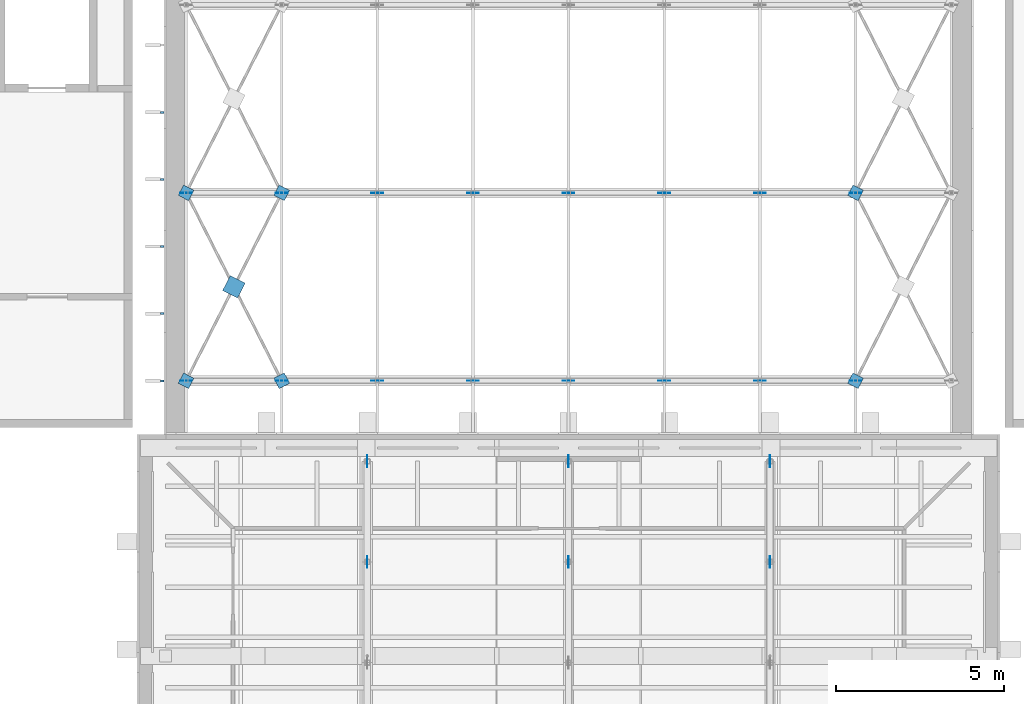
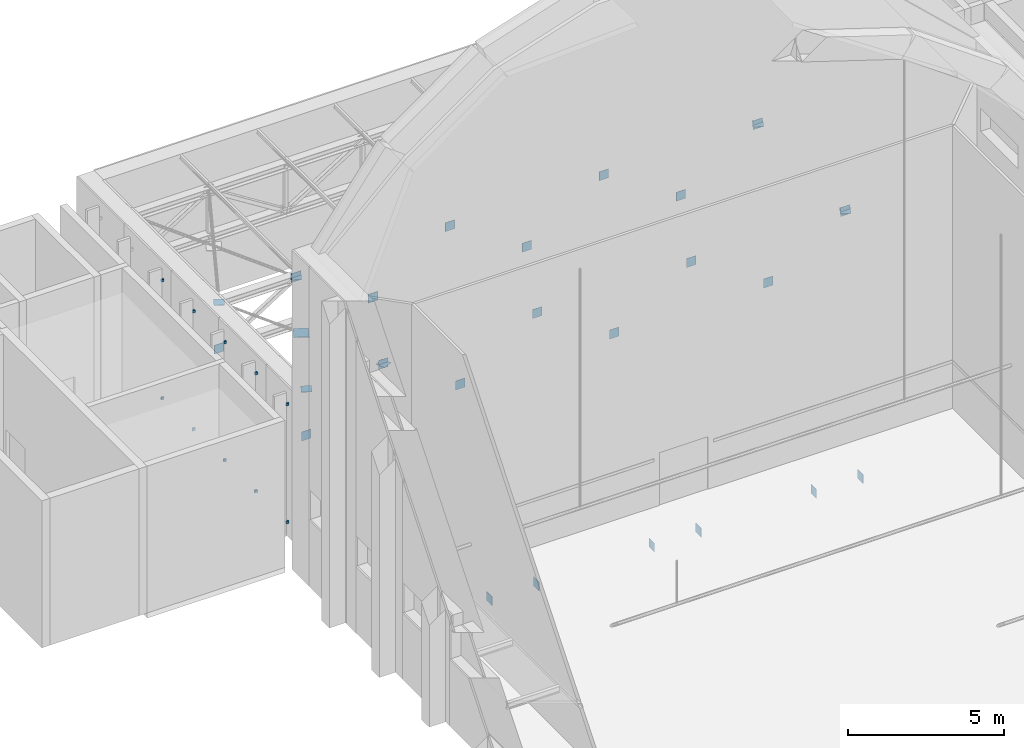
# One storey, part 49 of 55: 39 discrete accessories.
"""IFC4 building model written with IfcOpenShell, lengths in metres."""

from ifc_helpers import new_model, si_unit, direction, frame, origin, origin_2d, place, context, subcontext, project, spatial, rectangle, extrude, material, layer, layer_set, type_object, element, save


model = new_model("IFC4")

# Units and contexts
model_context = context("Model", 3, precision=1e-05, world=origin(), true_north=direction((0.0, 1.0)))
body_context = subcontext(model_context, "Body", "Model", "MODEL_VIEW")
ifc_project = project(units=[si_unit("LENGTHUNIT", "METRE"), si_unit("AREAUNIT", "SQUARE_METRE"), si_unit("VOLUMEUNIT", "CUBIC_METRE"), si_unit("PLANEANGLEUNIT", "RADIAN"), si_unit("MASSUNIT", "GRAM", prefix="KILO")], contexts=[model_context])

# Site, building, storey
site_placement = place(None, origin())
site = spatial("IfcSite", under=ifc_project, at=site_placement, CompositionType="ELEMENT")
building_placement = place(site_placement, origin())
building = spatial("IfcBuilding", under=site, at=building_placement, Name="Lunette Opera House", CompositionType="ELEMENT")
storey_placement = place(building_placement, frame((0.0, 0.0, 34.0)))
storey = spatial("IfcBuildingStorey", under=building, at=storey_placement, Name="L06", CompositionType="ELEMENT", Elevation=34.0)

# Discrete accessories
ifc_material_1 = material(Name="Steel S355", Category="steel")
ifc_layer_1 = layer(ifc_material_1, 0.011962890625)
ifc_layer_set_1 = layer_set([ifc_layer_1], Name="Steel S355")
discrete_accessory_type_1 = type_object("IfcDiscreteAccessoryType", Name="BRACE GUSSET PLATE 12", PredefinedType="USERDEFINED", material=ifc_layer_set_1)
for number, where, z_axis, x_axis, name in (
    (1, (90.0, 117.0, -0.840087890625), (0.0, 0.0, 1.0), (0.0, 1.0, 0.0), "Gusset plate 20"),
    (2, (90.0, 120.0, -3.239990234375), (0.0, 0.0, 1.0), (0.0, 1.0, 0.0), "Gusset plate 21"),
    (3, (96.0, 117.0, -0.840087890625), (0.0, 0.0, 1.0), (0.0, 1.0, 0.0), "Gusset plate 29"),
    (4, (96.0, 120.0, -3.239990234375), (0.0, 0.0, 1.0), (0.0, 1.0, 0.0), "Gusset plate 30"),
    (5, (102.0, 117.0, -0.840087890625), (0.0, 0.0, 1.0), (0.0, 1.0, 0.0), "Gusset plate 38"),
    (6, (102.0, 120.0, -3.239990234375), (0.0, 0.0, 1.0), (0.0, 1.0, 0.0), "Gusset plate 39"),
    (7, (84.60009765625, 122.39990234375, 3.599853515625), (0.0, 0.0, 1.0), (1.0, 0.0, 0.0), "Gusset plate 152"),
    (8, (87.449951171875, 122.39990234375, 5.39990234375), (0.0, 0.0, 1.0), (1.0, 0.0, 0.0), "Gusset plate 153"),
    (9, (90.300048828125, 122.39990234375, 3.599853515625), (0.0, 0.0, 1.0), (1.0, 0.0, 0.0), "Gusset plate 154"),
    (10, (93.14990234375, 122.39990234375, 5.39990234375), (0.0, 0.0, 1.0), (1.0, 0.0, 0.0), "Gusset plate 155"),
    (11, (96.0, 122.39990234375, 3.599853515625), (0.0, 0.0, 1.0), (1.0, 0.0, 0.0), "Gusset plate 156"),
    (12, (98.85009765625, 122.39990234375, 5.39990234375), (0.0, 0.0, 1.0), (1.0, 0.0, 0.0), "Gusset plate 157"),
    (13, (101.699951171875, 122.39990234375, 3.599853515625), (0.0, 0.0, 1.0), (1.0, 0.0, 0.0), "Gusset plate 158"),
    (14, (104.550048828125, 122.39990234375, 5.39990234375), (0.0, 0.0, 1.0), (1.0, 0.0, 0.0), "Gusset plate 159"),
    (15, (84.60009765625, 128.0, 3.599853515625), (0.0, 0.0, 1.0), (1.0, 0.0, 0.0), "Gusset plate 161"),
    (16, (87.449951171875, 128.0, 5.39990234375), (0.0, 0.0, 1.0), (1.0, 0.0, 0.0), "Gusset plate 162"),
    (17, (90.300048828125, 128.0, 3.599853515625), (0.0, 0.0, 1.0), (1.0, 0.0, 0.0), "Gusset plate 163"),
    (18, (93.14990234375, 128.0, 5.39990234375), (0.0, 0.0, 1.0), (1.0, 0.0, 0.0), "Gusset plate 164"),
    (19, (96.0, 128.0, 3.599853515625), (0.0, 0.0, 1.0), (1.0, 0.0, 0.0), "Gusset plate 165"),
    (20, (98.85009765625, 128.0, 5.39990234375), (0.0, 0.0, 1.0), (1.0, 0.0, 0.0), "Gusset plate 166"),
    (21, (101.699951171875, 128.0, 3.599853515625), (0.0, 0.0, 1.0), (1.0, 0.0, 0.0), "Gusset plate 167"),
    (22, (104.550048828125, 128.0, 5.39990234375), (0.0, 0.0, 1.0), (1.0, 0.0, 0.0), "Gusset plate 168"),
):
    element("IfcDiscreteAccessory", number, at=place(storey_placement, frame(where, z_axis=z_axis, x_axis=x_axis)), inside=storey, type_object=discrete_accessory_type_1, Name=name, ObjectType="GUSSET PLATE", PredefinedType="USERDEFINED", context=body_context, shape_type="SweptSolid", body=[
        extrude(rectangle(XDim=0.35009765625, YDim=0.011962890625, at=origin_2d()), origin(), (0.0, 0.0, 1.0), 0.35009765625),
    ])
for number, where, z_axis, x_axis, name in (
    (23, (84.60009765625, 122.39990234375, 5.56884765625), (0.0, 0.0, 1.0), (0.453567461466, 0.891221946487, 0.0), "Gusset plate 179"),
    (24, (87.449951171875, 128.0, 5.56884765625), (0.0, 0.0, 1.0), (0.453567461466, 0.891221946487, 0.0), "Gusset plate 180"),
    (25, (104.550048828125, 122.39990234375, 5.56884765625), (0.0, 0.0, 1.0), (0.453567461466, 0.891221946487, 0.0), "Gusset plate 181"),
    (26, (84.60009765625, 128.0, 5.56884765625), (0.0, 0.0, 1.0), (0.453567461466, 0.891221946487, 0.0), "Gusset plate 183"),
    (27, (104.550048828125, 128.0, 5.56884765625), (0.0, 0.0, 1.0), (0.453567461466, 0.891221946487, 0.0), "Gusset plate 185"),
    (28, (87.449951171875, 122.39990234375, 5.56884765625), (0.0, 0.0, 1.0), (-0.453567461466, 0.891221946487, 0.0), "Gusset plate 346"),
):
    element("IfcDiscreteAccessory", number, at=place(storey_placement, frame(where, z_axis=z_axis, x_axis=x_axis)), inside=storey, type_object=discrete_accessory_type_1, Name=name, ObjectType="GUSSET PLATE", PredefinedType="USERDEFINED", context=body_context, shape_type="SweptSolid", body=[
        extrude(rectangle(XDim=0.35009765625, YDim=0.35009765625, at=origin_2d()), origin(), (0.0, 0.0, 1.0), 0.011962890625),
    ])
ifc_material_2 = material(Name="Galvanised steel", Category="steel")
discrete_accessory_type_2 = type_object("IfcDiscreteAccessoryType", Name="FIN BRACKET STEEL", PredefinedType="BRACKET", material=ifc_material_2)
for number, where, z_axis, x_axis, name in (
    (29, (83.889892578125, 122.39990234375, 0.56494140625), (0.0, 0.0, 1.0), (-1.0, 0.0, 0.0), "Fin bracket ST-W090 1 1"),
    (30, (83.889892578125, 122.39990234375, 5.179931640625), (0.0, 0.0, 1.0), (-1.0, 0.0, 0.0), "Fin bracket ST-W090 1 2"),
    (31, (83.889892578125, 124.39990234375, 0.56494140625), (0.0, 0.0, 1.0), (-1.0, 0.0, 0.0), "Fin bracket ST-W090 2 1"),
    (32, (83.889892578125, 124.39990234375, 5.179931640625), (0.0, 0.0, 1.0), (-1.0, 0.0, 0.0), "Fin bracket ST-W090 2 2"),
    (33, (83.889892578125, 126.39990234375, 0.56494140625), (0.0, 0.0, 1.0), (-1.0, 0.0, 0.0), "Fin bracket ST-W090 3 1"),
    (34, (83.889892578125, 126.39990234375, 5.179931640625), (0.0, 0.0, 1.0), (-1.0, 0.0, 0.0), "Fin bracket ST-W090 3 2"),
    (35, (83.889892578125, 128.39990234375, 0.56494140625), (0.0, 0.0, 1.0), (-1.0, 0.0, 0.0), "Fin bracket ST-W090 4 1"),
    (36, (83.889892578125, 128.39990234375, 5.179931640625), (0.0, 0.0, 1.0), (-1.0, 0.0, 0.0), "Fin bracket ST-W090 4 2"),
    (37, (83.889892578125, 130.39990234375, 0.56494140625), (0.0, 0.0, 1.0), (-1.0, 0.0, 0.0), "Fin bracket ST-W090 5 1"),
    (38, (83.889892578125, 130.39990234375, 5.179931640625), (0.0, 0.0, 1.0), (-1.0, 0.0, 0.0), "Fin bracket ST-W090 5 2"),
):
    element("IfcDiscreteAccessory", number, at=place(storey_placement, frame(where, z_axis=z_axis, x_axis=x_axis)), inside=storey, type_object=discrete_accessory_type_2, Name=name, PredefinedType="BRACKET", context=body_context, shape_type="SweptSolid", body=[
        extrude(rectangle(XDim=0.10009765625, YDim=0.06005859375, at=origin_2d()), origin(), (0.0, 0.0, 1.0), 0.10009765625),
    ])
ifc_material_3 = material(Name="Steel S355", Category="steel")
ifc_layer_2 = layer(ifc_material_3, 0.01611328125)
ifc_layer_set_2 = layer_set([ifc_layer_2], Name="Steel S355")
discrete_accessory_type_3 = type_object("IfcDiscreteAccessoryType", Name="X-BRACE NODE PLATE 16", PredefinedType="USERDEFINED", material=ifc_layer_set_2)
discrete_accessory_placement = place(storey_placement, frame((86.02490234375, 125.199951171875, 5.56689453125), z_axis=(0.0, 0.0, 1.0), x_axis=(0.453567461466, 0.891221946487, 0.0)))
element("IfcDiscreteAccessory", 39, at=discrete_accessory_placement, inside=storey, type_object=discrete_accessory_type_3, Name="X-brace node plate 9", ObjectType="NODE PLATE", PredefinedType="USERDEFINED", context=body_context, shape_type="SweptSolid", body=[
    extrude(rectangle(XDim=0.5, YDim=0.5, at=origin_2d()), origin(), (0.0, 0.0, 1.0), 0.01611328125),
])

save(model, "model.ifc")
